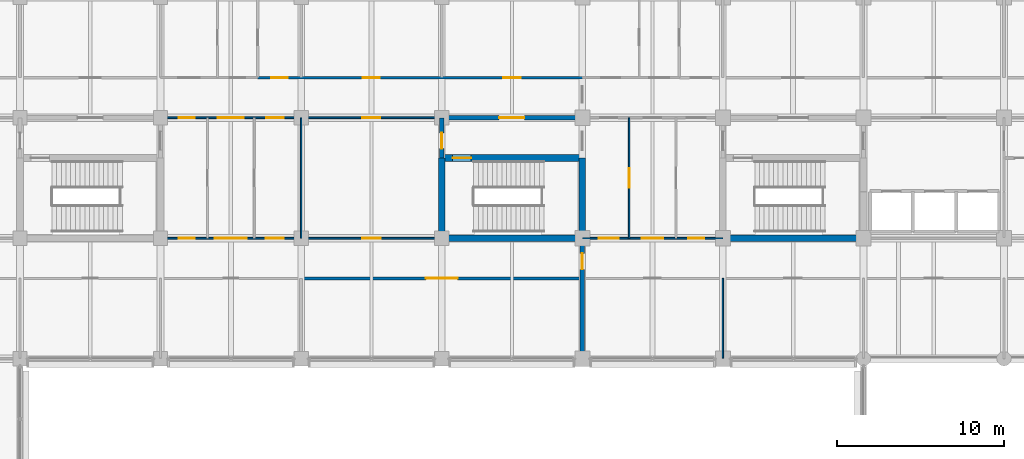
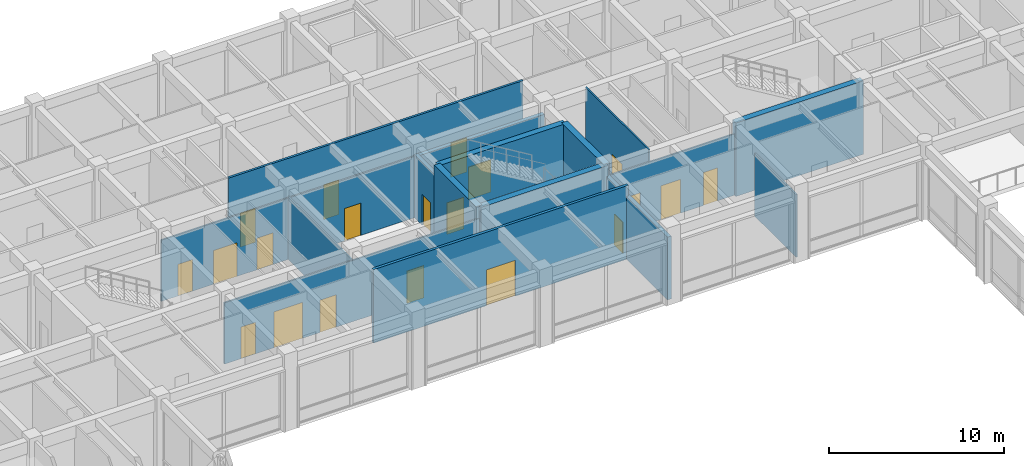
# One storey, part 26 of 51: 20 doors, 16 walls, 20 openings.
"""IFC4 building model written with IfcOpenShell, lengths in metres."""

from ifc_helpers import new_model, si_unit, direction, frame, frame_2d, origin, place, context, subcontext, project, spatial, rectangle, extrude, material, layer, layer_set, type_object, element, fill, save


model = new_model("IFC4")

# Units and contexts
model_context = context("Model", 3, precision=1e-05, world=origin(), true_north=direction((0.0, 1.0)))
body_context = subcontext(model_context, "Body", "Model", "MODEL_VIEW")
ifc_project = project(units=[si_unit("LENGTHUNIT", "METRE"), si_unit("AREAUNIT", "SQUARE_METRE"), si_unit("VOLUMEUNIT", "CUBIC_METRE"), si_unit("PLANEANGLEUNIT", "RADIAN"), si_unit("MASSUNIT", "GRAM", prefix="KILO")], contexts=[model_context])

# Site, building, storey
site_placement = place(None, origin())
site = spatial("IfcSite", under=ifc_project, at=site_placement, CompositionType="ELEMENT")
building_placement = place(site_placement, origin())
building = spatial("IfcBuilding", under=site, at=building_placement, Name="Chengyuan Square Courthouse", CompositionType="ELEMENT")
storey_placement = place(building_placement, frame((0.0, 0.0, 10.800048828125)))
storey = spatial("IfcBuildingStorey", under=building, at=storey_placement, Name="L03", CompositionType="ELEMENT", Elevation=10.800048828125)

# Wall, opening, door
ifc_material_1 = material(Name="Concrete C40", Category="concrete")
ifc_layer_1 = layer(ifc_material_1, 0.25)
ifc_layer_set_1 = layer_set([ifc_layer_1], Name="Concrete C40")
wall_type_1 = type_object("IfcWallType", Name="WL-FW1", PredefinedType="STANDARD", material=ifc_layer_set_1)
wall_1_placement = place(storey_placement, frame((42.0, 93.60009765625, 0.0), z_axis=(0.0, 0.0, 1.0), x_axis=(1.0, 0.0, 0.0)))
wall_1 = element("IfcWall", 1, at=wall_1_placement, inside=storey, type_object=wall_type_1, Name="Interior Wall WL-L03-I1451", PredefinedType="STANDARD", context=body_context, shape_type="SweptSolid", body=[
    extrude(rectangle(XDim=8.39990234375, YDim=0.25, at=frame_2d((4.199951171875, 0.0))), origin(), (0.0, 0.0, 1.0), 4.27001953125),
])
opening_1_placement = place(wall_1_placement, frame((3.4375, 0.0, 0.0)))
opening_1 = element("IfcOpeningElement", 2, at=opening_1_placement, cuts=wall_1, Name="Opening DR-1339", PredefinedType="OPENING", context=body_context, shape_type="SweptSolid", body=[
    extrude(rectangle(XDim=1.5, YDim=2.25, at=frame_2d((0.75, 1.125))), frame((0.0, 0.136962890625, 0.0), z_axis=(0.0, -1.0, 0.0), x_axis=(1.0, 0.0, 0.0)), (0.0, 0.0, 1.0), 0.27392578125),
])
ifc_material_2 = material(Name="Steel Q235B Glazed Fire Door", Category="steel")
door_type_1 = type_object("IfcDoorType", Name="DT-19", OperationType="DOUBLE_DOOR_SINGLE_SWING", PredefinedType="DOOR", material=ifc_material_2)
door_1_placement = place(opening_1_placement, frame((1.5, 0.0, 0.0), z_axis=(0.0, 0.0, 1.0), x_axis=(-1.0, 0.0, 0.0)))
door_1 = element("IfcDoor", 3, at=door_1_placement, inside=storey, type_object=door_type_1, Name="Interior Door DR-1339", OperationType="DOUBLE_DOOR_SINGLE_SWING", OverallHeight=2.25, OverallWidth=1.5, PredefinedType="DOOR", context=body_context, shape_type="SweptSolid", body=[
    extrude(rectangle(XDim=1.5, YDim=2.25, at=frame_2d((0.75, 1.125))), frame((0.0, 0.02490234375, 0.0), z_axis=(0.0, -1.0, 0.0), x_axis=(1.0, 0.0, 0.0)), (0.0, 0.0, 1.0), 0.050048828125),
])
fill(opening_1, door_1)

wall_2_placement = place(storey_placement, frame((42.0, 91.199951171875, 0.0), z_axis=(0.0, 0.0, 1.0), x_axis=(0.0, 1.0, 0.0)))
wall_2 = element("IfcWall", 4, at=wall_2_placement, inside=storey, type_object=wall_type_1, Name="Interior Wall WL-L03-I1583", PredefinedType="STANDARD", context=body_context, shape_type="SweptSolid", body=[
    extrude(rectangle(XDim=2.400146484375, YDim=0.25, at=frame_2d((1.2001953125, 0.0))), origin(), (0.0, 0.0, 1.0), 4.369873046875),
])
opening_2_placement = place(wall_2_placement, frame((0.552490234375, 0.0, 0.0)))
opening_2 = element("IfcOpeningElement", 5, at=opening_2_placement, cuts=wall_2, Name="Opening DR-1340", PredefinedType="OPENING", context=body_context, shape_type="SweptSolid", body=[
    extrude(rectangle(XDim=0.949951171875, YDim=2.14990234375, at=frame_2d((0.47509765625, 1.074951171875))), frame((0.0, 0.136962890625, 0.0), z_axis=(0.0, -1.0, 0.0), x_axis=(1.0, 0.0, 0.0)), (0.0, 0.0, 1.0), 0.27392578125),
])
ifc_material_3 = material(Name="Steel Q235B Fire Door", Category="steel")
door_type_2 = type_object("IfcDoorType", Name="DT-12", OperationType="NOTDEFINED", PredefinedType="DOOR", material=ifc_material_3)
door_2_placement = place(opening_2_placement, origin())
door_2 = element("IfcDoor", 6, at=door_2_placement, inside=storey, type_object=door_type_2, Name="Interior Door DR-1340", OperationType="SINGLE_SWING_RIGHT", OverallHeight=2.14990234375, OverallWidth=0.949951171875, PredefinedType="DOOR", context=body_context, shape_type="SweptSolid", body=[
    extrude(rectangle(XDim=0.949951171875, YDim=2.14990234375, at=frame_2d((0.47509765625, 1.074951171875))), frame((0.0, 0.02490234375, 0.0), z_axis=(0.0, -1.0, 0.0), x_axis=(1.0, 0.0, 0.0)), (0.0, 0.0, 1.0), 0.050048828125),
])
fill(opening_2, door_2)

wall_3_placement = place(storey_placement, frame((50.39990234375, 79.239990234375, 0.0), z_axis=(0.0, 0.0, 1.0), x_axis=(0.0, 1.0, 0.0)))
wall_3 = element("IfcWall", 7, at=wall_3_placement, inside=storey, type_object=wall_type_1, Name="Interior Wall WL-L03-I1591", PredefinedType="STANDARD", context=body_context, shape_type="SweptSolid", body=[
    extrude(rectangle(XDim=7.159912109375, YDim=0.25, at=frame_2d((3.580078125, 0.0))), origin(), (0.0, 0.0, 1.0), 4.369873046875),
])
opening_3_placement = place(wall_3_placement, frame((5.300048828125, 0.0, 0.0)))
opening_3 = element("IfcOpeningElement", 8, at=opening_3_placement, cuts=wall_3, Name="Opening DR-1574", PredefinedType="OPENING", context=body_context, shape_type="SweptSolid", body=[
    extrude(rectangle(XDim=0.949951171875, YDim=2.14990234375, at=frame_2d((0.47509765625, 1.074951171875))), frame((0.0, 0.136962890625, 0.0), z_axis=(0.0, -1.0, 0.0), x_axis=(1.0, 0.0, 0.0)), (0.0, 0.0, 1.0), 0.27392578125),
])
door_3_placement = place(opening_3_placement, origin())
door_3 = element("IfcDoor", 9, at=door_3_placement, inside=storey, type_object=door_type_2, Name="Interior Door DR-1574", OperationType="SINGLE_SWING_RIGHT", OverallHeight=2.14990234375, OverallWidth=0.949951171875, PredefinedType="DOOR", context=body_context, shape_type="SweptSolid", body=[
    extrude(rectangle(XDim=0.949951171875, YDim=2.14990234375, at=frame_2d((0.47509765625, 1.074951171875))), frame((0.0, 0.02490234375, 0.0), z_axis=(0.0, -1.0, 0.0), x_axis=(1.0, 0.0, 0.0)), (0.0, 0.0, 1.0), 0.050048828125),
])
fill(opening_3, door_3)

ifc_material_4 = material(Name="Double-Stud Acoustic Gypsum Courtroom Partition")
ifc_layer_2 = layer(ifc_material_4, 0.179931640625)
ifc_layer_set_2 = layer_set([ifc_layer_2], Name="Double-Stud Acoustic Gypsum Courtroom Partition")
wall_type_2 = type_object("IfcWallType", Name="WL-PT1", PredefinedType="STANDARD", material=ifc_layer_set_2)
wall_4_placement = place(storey_placement, frame((33.60009765625, 84.0, 0.0), z_axis=(0.0, 0.0, 1.0), x_axis=(1.0, 0.0, 0.0)))
wall_4 = element("IfcWall", 10, at=wall_4_placement, inside=storey, type_object=wall_type_2, Name="Interior Wall WL-L03-I1413", PredefinedType="STANDARD", context=body_context, shape_type="SweptSolid", body=[
    extrude(rectangle(XDim=16.7998046875, YDim=0.179931640625, at=frame_2d((8.39990234375, 0.0))), origin(), (0.0, 0.0, 1.0), 5.119873046875),
])
opening_4_placement = place(wall_4_placement, frame((7.449951171875, 0.0, 0.0)))
opening_4 = element("IfcOpeningElement", 11, at=opening_4_placement, cuts=wall_4, Name="Opening DR-1580", PredefinedType="OPENING", context=body_context, shape_type="SweptSolid", body=[
    extrude(rectangle(XDim=1.89990234375, YDim=2.5, at=frame_2d((0.949951171875, 1.25))), frame((0.0, 0.10205078125, 0.0), z_axis=(0.0, -1.0, 0.0), x_axis=(1.0, 0.0, 0.0)), (0.0, 0.0, 1.0), 0.203857421875),
])
ifc_material_5 = material(Name="Acoustic Larch Veneer Double Door")
door_type_3 = type_object("IfcDoorType", Name="DT-26", OperationType="DOUBLE_DOOR_SINGLE_SWING", PredefinedType="DOOR", material=ifc_material_5)
door_4_placement = place(opening_4_placement, frame((1.89990234375, 0.0, 0.0), z_axis=(0.0, 0.0, 1.0), x_axis=(-1.0, 0.0, 0.0)))
door_4 = element("IfcDoor", 12, at=door_4_placement, inside=storey, type_object=door_type_3, Name="Interior Door DR-1580", OperationType="DOUBLE_DOOR_SINGLE_SWING", OverallHeight=2.5, OverallWidth=1.89990234375, PredefinedType="DOOR", context=body_context, shape_type="SweptSolid", body=[
    extrude(rectangle(XDim=1.89990234375, YDim=2.5, at=frame_2d((0.949951171875, 1.25))), frame((0.0, 0.02490234375, 0.0), z_axis=(0.0, -1.0, 0.0), x_axis=(1.0, 0.0, 0.0)), (0.0, 0.0, 1.0), 0.050048828125),
])
fill(opening_4, door_4)

# Wall, openings, doors
ifc_material_6 = material(Name="Deliberation Room Sound-Insulated Partition")
ifc_layer_3 = layer(ifc_material_6, 0.14990234375)
ifc_layer_set_3 = layer_set([ifc_layer_3], Name="Deliberation Room Sound-Insulated Partition")
wall_type_3 = type_object("IfcWallType", Name="WL-PT3", PredefinedType="STANDARD", material=ifc_layer_set_3)
wall_5_placement = place(storey_placement, frame((31.0, 96.0, 0.0), z_axis=(0.0, 0.0, 1.0), x_axis=(1.0, 0.0, 0.0)))
wall_5 = element("IfcWall", 13, at=wall_5_placement, inside=storey, type_object=wall_type_3, Name="Interior Wall WL-L03-I1464", PredefinedType="STANDARD", context=body_context, shape_type="SweptSolid", body=[
    extrude(rectangle(XDim=19.39990234375, YDim=0.14990234375, at=frame_2d((9.699951171875, 0.0))), origin(), (0.0, 0.0, 1.0), 5.119873046875),
])
opening_5_placement = place(wall_5_placement, frame((0.81005859375, 0.0, 0.0)))
opening_5 = element("IfcOpeningElement", 14, at=opening_5_placement, cuts=wall_5, Name="Opening DR-1455", PredefinedType="OPENING", context=body_context, shape_type="SweptSolid", body=[
    extrude(rectangle(XDim=0.97998046875, YDim=2.35009765625, at=frame_2d((0.489990234375, 1.175048828125))), frame((0.0, 0.0869140625, 0.0), z_axis=(0.0, -1.0, 0.0), x_axis=(1.0, 0.0, 0.0)), (0.0, 0.0, 1.0), 0.173828125),
])
opening_6_placement = place(wall_5_placement, frame((6.2900390625, 0.0, 0.0)))
opening_6 = element("IfcOpeningElement", 15, at=opening_6_placement, cuts=wall_5, Name="Opening DR-1456", PredefinedType="OPENING", context=body_context, shape_type="SweptSolid", body=[
    extrude(rectangle(XDim=1.02001953125, YDim=2.39990234375, at=frame_2d((0.510009765625, 1.199951171875))), frame((0.0, 0.0869140625, 0.0), z_axis=(0.0, -1.0, 0.0), x_axis=(1.0, 0.0, 0.0)), (0.0, 0.0, 1.0), 0.173828125),
])
opening_7_placement = place(wall_5_placement, frame((14.669921875, 0.0, 0.0)))
opening_7 = element("IfcOpeningElement", 16, at=opening_7_placement, cuts=wall_5, Name="Opening DR-1457", PredefinedType="OPENING", context=body_context, shape_type="SweptSolid", body=[
    extrude(rectangle(XDim=1.06005859375, YDim=2.39990234375, at=frame_2d((0.530029296875, 1.199951171875))), frame((0.0, 0.0869140625, 0.0), z_axis=(0.0, -1.0, 0.0), x_axis=(1.0, 0.0, 0.0)), (0.0, 0.0, 1.0), 0.173828125),
])
ifc_material_7 = material(Name="Acoustic Solid-Core Timber Door", Category="wood")
door_type_4 = type_object("IfcDoorType", Name="DT-40", OperationType="NOTDEFINED", PredefinedType="DOOR", material=ifc_material_7)
door_5_placement = place(opening_5_placement, origin())
door_5 = element("IfcDoor", 17, at=door_5_placement, inside=storey, type_object=door_type_4, Name="Interior Door DR-1455", OperationType="SINGLE_SWING_RIGHT", OverallHeight=2.35009765625, OverallWidth=0.97998046875, PredefinedType="DOOR", context=body_context, shape_type="SweptSolid", body=[
    extrude(rectangle(XDim=0.97998046875, YDim=2.35009765625, at=frame_2d((0.489990234375, 1.175048828125))), frame((0.0, 0.02490234375, 0.0), z_axis=(0.0, -1.0, 0.0), x_axis=(1.0, 0.0, 0.0)), (0.0, 0.0, 1.0), 0.050048828125),
])
fill(opening_5, door_5)
door_type_5 = type_object("IfcDoorType", Name="DT-41", OperationType="NOTDEFINED", PredefinedType="DOOR", material=ifc_material_7)
door_6_placement = place(opening_6_placement, origin())
door_6 = element("IfcDoor", 18, at=door_6_placement, inside=storey, type_object=door_type_5, Name="Interior Door DR-1456", OperationType="SINGLE_SWING_LEFT", OverallHeight=2.39990234375, OverallWidth=1.02001953125, PredefinedType="DOOR", context=body_context, shape_type="SweptSolid", body=[
    extrude(rectangle(XDim=1.02001953125, YDim=2.39990234375, at=frame_2d((0.510009765625, 1.199951171875))), frame((0.0, 0.02490234375, 0.0), z_axis=(0.0, -1.0, 0.0), x_axis=(1.0, 0.0, 0.0)), (0.0, 0.0, 1.0), 0.050048828125),
])
fill(opening_6, door_6)
door_type_6 = type_object("IfcDoorType", Name="DT-42", OperationType="NOTDEFINED", PredefinedType="DOOR", material=ifc_material_7)
door_7_placement = place(opening_7_placement, origin())
door_7 = element("IfcDoor", 19, at=door_7_placement, inside=storey, type_object=door_type_6, Name="Interior Door DR-1457", OperationType="SINGLE_SWING_RIGHT", OverallHeight=2.39990234375, OverallWidth=1.06005859375, PredefinedType="DOOR", context=body_context, shape_type="SweptSolid", body=[
    extrude(rectangle(XDim=1.06005859375, YDim=2.39990234375, at=frame_2d((0.530029296875, 1.199951171875))), frame((0.0, 0.02490234375, 0.0), z_axis=(0.0, -1.0, 0.0), x_axis=(1.0, 0.0, 0.0)), (0.0, 0.0, 1.0), 0.050048828125),
])
fill(opening_7, door_7)

ifc_material_8 = material(Name="Gypsum Plasterboard Acoustic Stud Partition")
ifc_layer_4 = layer(ifc_material_8, 0.10009765625)
ifc_layer_set_4 = layer_set([ifc_layer_4], Name="Gypsum Plasterboard Acoustic Stud Partition")
wall_type_4 = type_object("IfcWallType", Name="WL-PT6", PredefinedType="STANDARD", material=ifc_layer_set_4)
wall_6_placement = place(storey_placement, frame((25.199951171875, 86.39990234375, 0.0), z_axis=(0.0, 0.0, 1.0), x_axis=(1.0, 0.0, 0.0)))
wall_6 = element("IfcWall", 20, at=wall_6_placement, inside=storey, type_object=wall_type_4, Name="Interior Wall WL-L03-I1419", PredefinedType="STANDARD", context=body_context, shape_type="SweptSolid", body=[
    extrude(rectangle(XDim=16.800048828125, YDim=0.10009765625, at=frame_2d((8.39990234375, 0.0))), origin(), (0.0, 0.0, 1.0), 4.27001953125),
])
opening_8_placement = place(wall_6_placement, frame((1.092529296875, 0.0, 0.0)))
opening_8 = element("IfcOpeningElement", 21, at=opening_8_placement, cuts=wall_6, Name="Opening DR-1530", PredefinedType="OPENING", context=body_context, shape_type="SweptSolid", body=[
    extrude(rectangle(XDim=0.9599609375, YDim=2.199951171875, at=frame_2d((0.47998046875, 1.10009765625))), frame((0.0, 0.06201171875, 0.0), z_axis=(0.0, -1.0, 0.0), x_axis=(1.0, 0.0, 0.0)), (0.0, 0.0, 1.0), 0.1240234375),
])
opening_9_placement = place(wall_6_placement, frame((3.25, 0.0, 0.0)))
opening_9 = element("IfcOpeningElement", 22, at=opening_9_placement, cuts=wall_6, Name="Opening DR-1532", PredefinedType="OPENING", context=body_context, shape_type="SweptSolid", body=[
    extrude(rectangle(XDim=1.89990234375, YDim=2.5, at=frame_2d((0.949951171875, 1.25))), frame((0.0, 0.06201171875, 0.0), z_axis=(0.0, -1.0, 0.0), x_axis=(1.0, 0.0, 0.0)), (0.0, 0.0, 1.0), 0.1240234375),
])
opening_10_placement = place(wall_6_placement, frame((6.28759765625, 0.0, 0.0)))
opening_10 = element("IfcOpeningElement", 23, at=opening_10_placement, cuts=wall_6, Name="Opening DR-1533", PredefinedType="OPENING", context=body_context, shape_type="SweptSolid", body=[
    extrude(rectangle(XDim=1.080078125, YDim=2.25, at=frame_2d((0.5400390625, 1.125))), frame((0.0, 0.06201171875, 0.0), z_axis=(0.0, -1.0, 0.0), x_axis=(1.0, 0.0, 0.0)), (0.0, 0.0, 1.0), 0.1240234375),
])
opening_11_placement = place(wall_6_placement, frame((12.0400390625, 0.0, 0.0)))
opening_11 = element("IfcOpeningElement", 24, at=opening_11_placement, cuts=wall_6, Name="Opening DR-1534", PredefinedType="OPENING", context=body_context, shape_type="SweptSolid", body=[
    extrude(rectangle(XDim=1.1201171875, YDim=2.25, at=frame_2d((0.56005859375, 1.125))), frame((0.0, 0.06201171875, 0.0), z_axis=(0.0, -1.0, 0.0), x_axis=(1.0, 0.0, 0.0)), (0.0, 0.0, 1.0), 0.1240234375),
])
door_8_placement = place(opening_9_placement, frame((1.89990234375, 0.0, 0.0), z_axis=(0.0, 0.0, 1.0), x_axis=(-1.0, 0.0, 0.0)))
door_8 = element("IfcDoor", 25, at=door_8_placement, inside=storey, type_object=door_type_3, Name="Interior Door DR-1532", OperationType="DOUBLE_DOOR_SINGLE_SWING", OverallHeight=2.5, OverallWidth=1.89990234375, PredefinedType="DOOR", context=body_context, shape_type="SweptSolid", body=[
    extrude(rectangle(XDim=1.89990234375, YDim=2.5, at=frame_2d((0.949951171875, 1.25))), frame((0.0, 0.02490234375, 0.0), z_axis=(0.0, -1.0, 0.0), x_axis=(1.0, 0.0, 0.0)), (0.0, 0.0, 1.0), 0.050048828125),
])
fill(opening_9, door_8)
door_type_7 = type_object("IfcDoorType", Name="DT-30", OperationType="NOTDEFINED", PredefinedType="DOOR", material=ifc_material_7)
door_9_placement = place(opening_8_placement, origin())
door_9 = element("IfcDoor", 26, at=door_9_placement, inside=storey, type_object=door_type_7, Name="Interior Door DR-1530", OperationType="SINGLE_SWING_LEFT", OverallHeight=2.199951171875, OverallWidth=0.9599609375, PredefinedType="DOOR", context=body_context, shape_type="SweptSolid", body=[
    extrude(rectangle(XDim=0.9599609375, YDim=2.199951171875, at=frame_2d((0.47998046875, 1.10009765625))), frame((0.0, 0.02490234375, 0.0), z_axis=(0.0, -1.0, 0.0), x_axis=(1.0, 0.0, 0.0)), (0.0, 0.0, 1.0), 0.050048828125),
])
fill(opening_8, door_9)
door_type_8 = type_object("IfcDoorType", Name="DT-33", OperationType="NOTDEFINED", PredefinedType="DOOR", material=ifc_material_7)
door_10_placement = place(opening_10_placement, origin())
door_10 = element("IfcDoor", 27, at=door_10_placement, inside=storey, type_object=door_type_8, Name="Interior Door DR-1533", OperationType="SINGLE_SWING_LEFT", OverallHeight=2.25, OverallWidth=1.080078125, PredefinedType="DOOR", context=body_context, shape_type="SweptSolid", body=[
    extrude(rectangle(XDim=1.080078125, YDim=2.25, at=frame_2d((0.5400390625, 1.125))), frame((0.0, 0.02490234375, 0.0), z_axis=(0.0, -1.0, 0.0), x_axis=(1.0, 0.0, 0.0)), (0.0, 0.0, 1.0), 0.050048828125),
])
fill(opening_10, door_10)
door_type_9 = type_object("IfcDoorType", Name="DT-34", OperationType="NOTDEFINED", PredefinedType="DOOR", material=ifc_material_7)
door_11_placement = place(opening_11_placement, origin())
door_11 = element("IfcDoor", 28, at=door_11_placement, inside=storey, type_object=door_type_9, Name="Interior Door DR-1534", OperationType="SINGLE_SWING_RIGHT", OverallHeight=2.25, OverallWidth=1.1201171875, PredefinedType="DOOR", context=body_context, shape_type="SweptSolid", body=[
    extrude(rectangle(XDim=1.1201171875, YDim=2.25, at=frame_2d((0.56005859375, 1.125))), frame((0.0, 0.02490234375, 0.0), z_axis=(0.0, -1.0, 0.0), x_axis=(1.0, 0.0, 0.0)), (0.0, 0.0, 1.0), 0.050048828125),
])
fill(opening_11, door_11)

wall_7_placement = place(storey_placement, frame((50.39990234375, 86.39990234375, 0.0), z_axis=(0.0, 0.0, 1.0), x_axis=(1.0, 0.0, 0.0)))
wall_7 = element("IfcWall", 29, at=wall_7_placement, inside=storey, type_object=wall_type_4, Name="Interior Wall WL-L03-I1421", PredefinedType="STANDARD", context=body_context, shape_type="SweptSolid", body=[
    extrude(rectangle(XDim=8.400146484375, YDim=0.10009765625, at=frame_2d((4.2001953125, 0.0))), origin(), (0.0, 0.0, 1.0), 4.27001953125),
])
opening_12_placement = place(wall_7_placement, frame((0.985107421875, 0.0, 0.0)))
opening_12 = element("IfcOpeningElement", 30, at=opening_12_placement, cuts=wall_7, Name="Opening DR-1536", PredefinedType="OPENING", context=body_context, shape_type="SweptSolid", body=[
    extrude(rectangle(XDim=1.199951171875, YDim=2.35009765625, at=frame_2d((0.60009765625, 1.175048828125))), frame((0.0, 0.06201171875, 0.0), z_axis=(0.0, -1.0, 0.0), x_axis=(1.0, 0.0, 0.0)), (0.0, 0.0, 1.0), 0.1240234375),
])
opening_13_placement = place(wall_7_placement, frame((3.56005859375, 0.0, 0.0)))
opening_13 = element("IfcOpeningElement", 31, at=opening_13_placement, cuts=wall_7, Name="Opening DR-1538", PredefinedType="OPENING", context=body_context, shape_type="SweptSolid", body=[
    extrude(rectangle(XDim=1.280029296875, YDim=2.35009765625, at=frame_2d((0.64013671875, 1.175048828125))), frame((0.0, 0.06201171875, 0.0), z_axis=(0.0, -1.0, 0.0), x_axis=(1.0, 0.0, 0.0)), (0.0, 0.0, 1.0), 0.1240234375),
])
opening_14_placement = place(wall_7_placement, frame((6.344970703125, 0.0, 0.0)))
opening_14 = element("IfcOpeningElement", 32, at=opening_14_placement, cuts=wall_7, Name="Opening DR-1539", PredefinedType="OPENING", context=body_context, shape_type="SweptSolid", body=[
    extrude(rectangle(XDim=0.93994140625, YDim=2.300048828125, at=frame_2d((0.469970703125, 1.14990234375))), frame((0.0, 0.06201171875, 0.0), z_axis=(0.0, -1.0, 0.0), x_axis=(1.0, 0.0, 0.0)), (0.0, 0.0, 1.0), 0.1240234375),
])
door_type_10 = type_object("IfcDoorType", Name="DT-36", OperationType="NOTDEFINED", PredefinedType="DOOR", material=ifc_material_7)
door_12_placement = place(opening_12_placement, origin())
door_12 = element("IfcDoor", 33, at=door_12_placement, inside=storey, type_object=door_type_10, Name="Interior Door DR-1536", OperationType="SINGLE_SWING_RIGHT", OverallHeight=2.35009765625, OverallWidth=1.199951171875, PredefinedType="DOOR", context=body_context, shape_type="SweptSolid", body=[
    extrude(rectangle(XDim=1.199951171875, YDim=2.35009765625, at=frame_2d((0.60009765625, 1.175048828125))), frame((0.0, 0.02490234375, 0.0), z_axis=(0.0, -1.0, 0.0), x_axis=(1.0, 0.0, 0.0)), (0.0, 0.0, 1.0), 0.050048828125),
])
fill(opening_12, door_12)
door_type_11 = type_object("IfcDoorType", Name="DT-38", OperationType="NOTDEFINED", PredefinedType="DOOR", material=ifc_material_7)
door_13_placement = place(opening_13_placement, origin())
door_13 = element("IfcDoor", 34, at=door_13_placement, inside=storey, type_object=door_type_11, Name="Interior Door DR-1538", OperationType="SINGLE_SWING_RIGHT", OverallHeight=2.35009765625, OverallWidth=1.280029296875, PredefinedType="DOOR", context=body_context, shape_type="SweptSolid", body=[
    extrude(rectangle(XDim=1.280029296875, YDim=2.35009765625, at=frame_2d((0.64013671875, 1.175048828125))), frame((0.0, 0.02490234375, 0.0), z_axis=(0.0, -1.0, 0.0), x_axis=(1.0, 0.0, 0.0)), (0.0, 0.0, 1.0), 0.050048828125),
])
fill(opening_13, door_13)
door_type_12 = type_object("IfcDoorType", Name="DT-39", OperationType="NOTDEFINED", PredefinedType="DOOR", material=ifc_material_7)
door_14_placement = place(opening_14_placement, origin())
door_14 = element("IfcDoor", 35, at=door_14_placement, inside=storey, type_object=door_type_12, Name="Interior Door DR-1539", OperationType="SINGLE_SWING_LEFT", OverallHeight=2.300048828125, OverallWidth=0.93994140625, PredefinedType="DOOR", context=body_context, shape_type="SweptSolid", body=[
    extrude(rectangle(XDim=0.93994140625, YDim=2.300048828125, at=frame_2d((0.469970703125, 1.14990234375))), frame((0.0, 0.02490234375, 0.0), z_axis=(0.0, -1.0, 0.0), x_axis=(1.0, 0.0, 0.0)), (0.0, 0.0, 1.0), 0.050048828125),
])
fill(opening_14, door_14)

wall_8_placement = place(storey_placement, frame((25.199951171875, 93.60009765625, 0.0), z_axis=(0.0, 0.0, 1.0), x_axis=(1.0, 0.0, 0.0)))
wall_8 = element("IfcWall", 36, at=wall_8_placement, inside=storey, type_object=wall_type_4, Name="Interior Wall WL-L03-I1450", PredefinedType="STANDARD", context=body_context, shape_type="SweptSolid", body=[
    extrude(rectangle(XDim=16.800048828125, YDim=0.10009765625, at=frame_2d((8.39990234375, 0.0))), origin(), (0.0, 0.0, 1.0), 4.27001953125),
])
opening_15_placement = place(wall_8_placement, frame((1.092529296875, 0.0, 0.0)))
opening_15 = element("IfcOpeningElement", 37, at=opening_15_placement, cuts=wall_8, Name="Opening DR-1462", PredefinedType="OPENING", context=body_context, shape_type="SweptSolid", body=[
    extrude(rectangle(XDim=0.9599609375, YDim=2.199951171875, at=frame_2d((0.47998046875, 1.10009765625))), frame((0.0, 0.06201171875, 0.0), z_axis=(0.0, -1.0, 0.0), x_axis=(1.0, 0.0, 0.0)), (0.0, 0.0, 1.0), 0.1240234375),
])
opening_16_placement = place(wall_8_placement, frame((3.425048828125, 0.0, 0.0)))
opening_16 = element("IfcOpeningElement", 38, at=opening_16_placement, cuts=wall_8, Name="Opening DR-1463", PredefinedType="OPENING", context=body_context, shape_type="SweptSolid", body=[
    extrude(rectangle(XDim=1.550048828125, YDim=2.35009765625, at=frame_2d((0.77490234375, 1.175048828125))), frame((0.0, 0.06201171875, 0.0), z_axis=(0.0, -1.0, 0.0), x_axis=(1.0, 0.0, 0.0)), (0.0, 0.0, 1.0), 0.1240234375),
])
opening_17_placement = place(wall_8_placement, frame((6.3076171875, 0.0, 0.0)))
opening_17 = element("IfcOpeningElement", 39, at=opening_17_placement, cuts=wall_8, Name="Opening DR-1464", PredefinedType="OPENING", context=body_context, shape_type="SweptSolid", body=[
    extrude(rectangle(XDim=1.0400390625, YDim=2.199951171875, at=frame_2d((0.52001953125, 1.10009765625))), frame((0.0, 0.06201171875, 0.0), z_axis=(0.0, -1.0, 0.0), x_axis=(1.0, 0.0, 0.0)), (0.0, 0.0, 1.0), 0.1240234375),
])
opening_18_placement = place(wall_8_placement, frame((12.06005859375, 0.0, 0.0)))
opening_18 = element("IfcOpeningElement", 40, at=opening_18_placement, cuts=wall_8, Name="Opening DR-1465", PredefinedType="OPENING", context=body_context, shape_type="SweptSolid", body=[
    extrude(rectangle(XDim=1.080078125, YDim=2.25, at=frame_2d((0.5400390625, 1.125))), frame((0.0, 0.06201171875, 0.0), z_axis=(0.0, -1.0, 0.0), x_axis=(1.0, 0.0, 0.0)), (0.0, 0.0, 1.0), 0.1240234375),
])
door_type_13 = type_object("IfcDoorType", Name="DT-23", OperationType="DOUBLE_DOOR_SINGLE_SWING", PredefinedType="DOOR", material=ifc_material_5)
door_15_placement = place(opening_16_placement, frame((1.550048828125, 0.0, 0.0), z_axis=(0.0, 0.0, 1.0), x_axis=(-1.0, 0.0, 0.0)))
door_15 = element("IfcDoor", 41, at=door_15_placement, inside=storey, type_object=door_type_13, Name="Interior Door DR-1463", OperationType="DOUBLE_DOOR_SINGLE_SWING", OverallHeight=2.35009765625, OverallWidth=1.550048828125, PredefinedType="DOOR", context=body_context, shape_type="SweptSolid", body=[
    extrude(rectangle(XDim=1.550048828125, YDim=2.35009765625, at=frame_2d((0.77490234375, 1.175048828125))), frame((0.0, 0.02490234375, 0.0), z_axis=(0.0, -1.0, 0.0), x_axis=(1.0, 0.0, 0.0)), (0.0, 0.0, 1.0), 0.050048828125),
])
fill(opening_16, door_15)
door_16_placement = place(opening_15_placement, origin())
door_16 = element("IfcDoor", 42, at=door_16_placement, inside=storey, type_object=door_type_7, Name="Interior Door DR-1462", OperationType="SINGLE_SWING_RIGHT", OverallHeight=2.199951171875, OverallWidth=0.9599609375, PredefinedType="DOOR", context=body_context, shape_type="SweptSolid", body=[
    extrude(rectangle(XDim=0.9599609375, YDim=2.199951171875, at=frame_2d((0.47998046875, 1.10009765625))), frame((0.0, 0.02490234375, 0.0), z_axis=(0.0, -1.0, 0.0), x_axis=(1.0, 0.0, 0.0)), (0.0, 0.0, 1.0), 0.050048828125),
])
fill(opening_15, door_16)
door_type_14 = type_object("IfcDoorType", Name="DT-32", OperationType="NOTDEFINED", PredefinedType="DOOR", material=ifc_material_7)
door_17_placement = place(opening_17_placement, origin())
door_17 = element("IfcDoor", 43, at=door_17_placement, inside=storey, type_object=door_type_14, Name="Interior Door DR-1464", OperationType="SINGLE_SWING_LEFT", OverallHeight=2.199951171875, OverallWidth=1.0400390625, PredefinedType="DOOR", context=body_context, shape_type="SweptSolid", body=[
    extrude(rectangle(XDim=1.0400390625, YDim=2.199951171875, at=frame_2d((0.52001953125, 1.10009765625))), frame((0.0, 0.02490234375, 0.0), z_axis=(0.0, -1.0, 0.0), x_axis=(1.0, 0.0, 0.0)), (0.0, 0.0, 1.0), 0.050048828125),
])
fill(opening_17, door_17)
door_18_placement = place(opening_18_placement, origin())
door_18 = element("IfcDoor", 44, at=door_18_placement, inside=storey, type_object=door_type_8, Name="Interior Door DR-1465", OperationType="SINGLE_SWING_RIGHT", OverallHeight=2.25, OverallWidth=1.080078125, PredefinedType="DOOR", context=body_context, shape_type="SweptSolid", body=[
    extrude(rectangle(XDim=1.080078125, YDim=2.25, at=frame_2d((0.5400390625, 1.125))), frame((0.0, 0.02490234375, 0.0), z_axis=(0.0, -1.0, 0.0), x_axis=(1.0, 0.0, 0.0)), (0.0, 0.0, 1.0), 0.050048828125),
])
fill(opening_18, door_18)

# Wall
wall_9_placement = place(storey_placement, frame((33.60009765625, 86.39990234375, 0.0), z_axis=(0.0, 0.0, 1.0), x_axis=(0.0, 1.0, 0.0)))
element("IfcWall", 45, at=wall_9_placement, inside=storey, type_object=wall_type_4, Name="Interior Wall WL-L03-I1579", PredefinedType="STANDARD", context=body_context, shape_type="SweptSolid", body=[
    extrude(rectangle(XDim=7.2001953125, YDim=0.10009765625, at=frame_2d((3.60009765625, 0.0))), origin(), (0.0, 0.0, 1.0), 4.369873046875),
])

# Wall, opening, door
wall_10_placement = place(storey_placement, frame((53.199951171875, 86.39990234375, 0.0), z_axis=(0.0, 0.0, 1.0), x_axis=(0.0, 1.0, 0.0)))
wall_10 = element("IfcWall", 46, at=wall_10_placement, inside=storey, type_object=wall_type_4, Name="Interior Wall WL-L03-I1596", PredefinedType="STANDARD", context=body_context, shape_type="SweptSolid", body=[
    extrude(rectangle(XDim=7.2001953125, YDim=0.10009765625, at=frame_2d((3.60009765625, 0.0))), origin(), (0.0, 0.0, 1.0), 5.119873046875),
])
opening_19_placement = place(wall_10_placement, frame((3.02001953125, 0.0, 0.0)))
opening_19 = element("IfcOpeningElement", 47, at=opening_19_placement, cuts=wall_10, Name="Opening DR-1535", PredefinedType="OPENING", context=body_context, shape_type="SweptSolid", body=[
    extrude(rectangle(XDim=1.159912109375, YDim=2.300048828125, at=frame_2d((0.580078125, 1.14990234375))), frame((0.0, 0.06201171875, 0.0), z_axis=(0.0, -1.0, 0.0), x_axis=(1.0, 0.0, 0.0)), (0.0, 0.0, 1.0), 0.1240234375),
])
door_type_15 = type_object("IfcDoorType", Name="DT-35", OperationType="NOTDEFINED", PredefinedType="DOOR", material=ifc_material_7)
door_19_placement = place(opening_19_placement, origin())
door_19 = element("IfcDoor", 48, at=door_19_placement, inside=storey, type_object=door_type_15, Name="Interior Door DR-1535", OperationType="SINGLE_SWING_LEFT", OverallHeight=2.300048828125, OverallWidth=1.159912109375, PredefinedType="DOOR", context=body_context, shape_type="SweptSolid", body=[
    extrude(rectangle(XDim=1.159912109375, YDim=2.300048828125, at=frame_2d((0.580078125, 1.14990234375))), frame((0.0, 0.02490234375, 0.0), z_axis=(0.0, -1.0, 0.0), x_axis=(1.0, 0.0, 0.0)), (0.0, 0.0, 1.0), 0.050048828125),
])
fill(opening_19, door_19)

# Walls
wall_11_placement = place(storey_placement, frame((58.800048828125, 79.239990234375, 0.0), z_axis=(0.0, 0.0, 1.0), x_axis=(0.0, 1.0, 0.0)))
element("IfcWall", 49, at=wall_11_placement, inside=storey, type_object=wall_type_4, Name="Interior Wall WL-L03-I1603", PredefinedType="STANDARD", context=body_context, shape_type="SweptSolid", body=[
    extrude(rectangle(XDim=4.760009765625, YDim=0.10009765625, at=frame_2d((2.3798828125, 0.0))), origin(), (0.0, 0.0, 1.0), 4.369873046875),
])
ifc_material_9 = material(Name="Concrete C50", Category="concrete")
ifc_layer_5 = layer(ifc_material_9, 0.39990234375)
ifc_layer_set_5 = layer_set([ifc_layer_5], Name="Concrete C50")
wall_type_5 = type_object("IfcWallType", Name="WL-SW1", PredefinedType="SHEAR", material=ifc_layer_set_5)
for number, where, z_axis, x_axis, name in (
    (50, (42.0, 86.39990234375, 0.0), (0.0, 0.0, 1.0), (1.0, 0.0, 0.0), "Interior Wall WL-L03-I1420"),
    (51, (58.800048828125, 86.39990234375, 0.0), (0.0, 0.0, 1.0), (1.0, 0.0, 0.0), "Interior Wall WL-L03-I1422"),
):
    element("IfcWall", number, at=place(storey_placement, frame(where, z_axis=z_axis, x_axis=x_axis)), inside=storey, type_object=wall_type_5, Name=name, PredefinedType="SHEAR", context=body_context, shape_type="SweptSolid", body=[
        extrude(rectangle(XDim=8.39990234375, YDim=0.39990234375, at=frame_2d((4.199951171875, 0.0))), origin(), (0.0, 0.0, 1.0), 5.119873046875),
    ])

# Wall, opening, door
wall_12_placement = place(storey_placement, frame((42.0, 91.199951171875, 0.0), z_axis=(0.0, 0.0, 1.0), x_axis=(1.0, 0.0, 0.0)))
wall_12 = element("IfcWall", 52, at=wall_12_placement, inside=storey, type_object=wall_type_5, Name="Interior Wall WL-L03-I1442", PredefinedType="SHEAR", context=body_context, shape_type="SweptSolid", body=[
    extrude(rectangle(XDim=8.39990234375, YDim=0.39990234375, at=frame_2d((4.199951171875, 0.0))), origin(), (0.0, 0.0, 1.0), 5.119873046875),
])
opening_20_placement = place(wall_12_placement, frame((0.64990234375, 0.0, 0.0)))
opening_20 = element("IfcOpeningElement", 53, at=opening_20_placement, cuts=wall_12, Name="Opening DR-1321", PredefinedType="OPENING", context=body_context, shape_type="SweptSolid", body=[
    extrude(rectangle(XDim=1.10009765625, YDim=2.199951171875, at=frame_2d((0.550048828125, 1.10009765625))), frame((0.0, 0.2119140625, 0.0), z_axis=(0.0, -1.0, 0.0), x_axis=(1.0, 0.0, 0.0)), (0.0, 0.0, 1.0), 0.423828125),
])
door_type_16 = type_object("IfcDoorType", Name="DT-10", OperationType="NOTDEFINED", PredefinedType="DOOR", material=ifc_material_3)
door_20_placement = place(opening_20_placement, frame((1.10009765625, 0.0, 0.0), z_axis=(0.0, 0.0, 1.0), x_axis=(-1.0, 0.0, 0.0)))
door_20 = element("IfcDoor", 54, at=door_20_placement, inside=storey, type_object=door_type_16, Name="Smoke-Proof Stairwell Fire Door ST-5 DR-1321", OperationType="SINGLE_SWING_RIGHT", OverallHeight=2.199951171875, OverallWidth=1.10009765625, PredefinedType="DOOR", context=body_context, shape_type="SweptSolid", body=[
    extrude(rectangle(XDim=1.10009765625, YDim=2.199951171875, at=frame_2d((0.550048828125, 1.10009765625))), frame((0.0, 0.02490234375, 0.0), z_axis=(0.0, -1.0, 0.0), x_axis=(1.0, 0.0, 0.0)), (0.0, 0.0, 1.0), 0.050048828125),
])
fill(opening_20, door_20)

# Walls
for number, where, z_axis, x_axis, name in (
    (55, (42.0, 86.39990234375, 0.0), (0.0, 0.0, 1.0), (0.0, 1.0, 0.0), "Interior Wall WL-L03-I1582"),
    (56, (50.39990234375, 86.39990234375, 0.0), (0.0, 0.0, 1.0), (0.0, 1.0, 0.0), "Interior Wall WL-L03-I1592"),
):
    element("IfcWall", number, at=place(storey_placement, frame(where, z_axis=z_axis, x_axis=x_axis)), inside=storey, type_object=wall_type_5, Name=name, PredefinedType="SHEAR", context=body_context, shape_type="SweptSolid", body=[
        extrude(rectangle(XDim=4.800048828125, YDim=0.39990234375, at=frame_2d((2.39990234375, 0.0))), origin(), (0.0, 0.0, 1.0), 5.119873046875),
    ])

save(model, "model.ifc")
